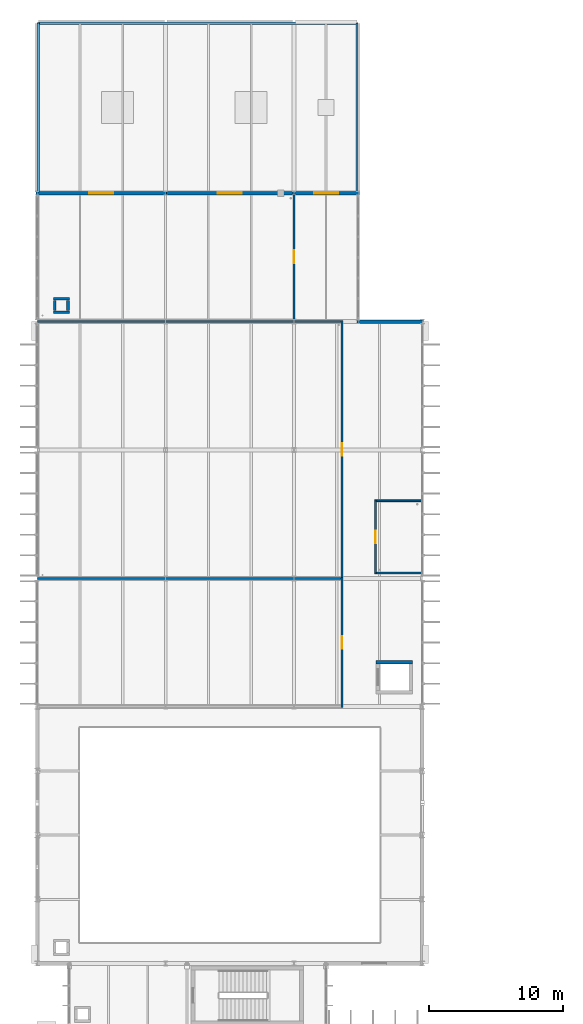
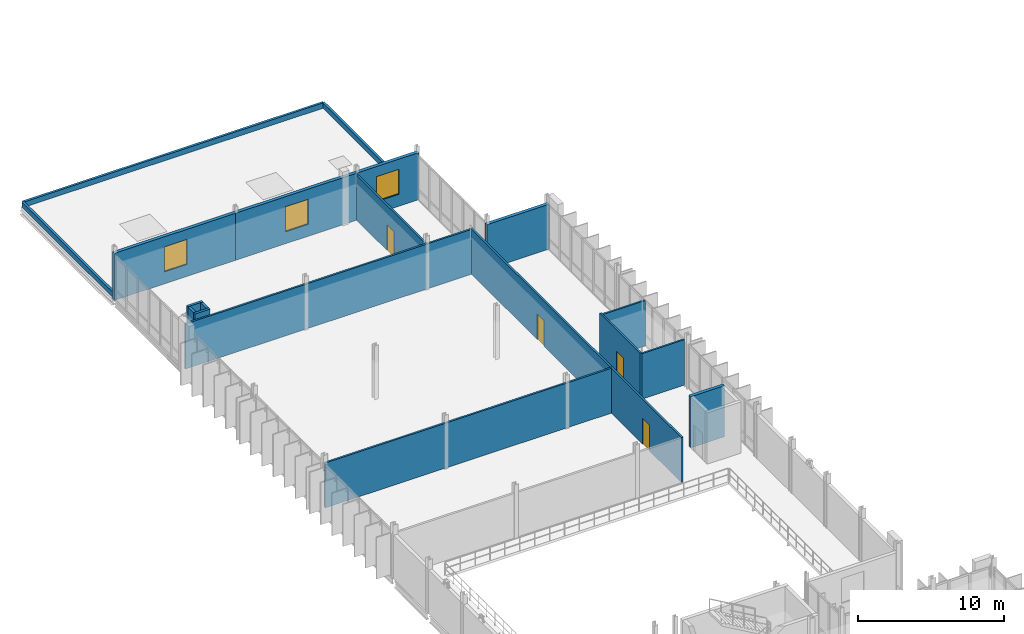
# One storey, part 65 of 107: 20 walls, 4 doors, 3 windows, 7 openings.
"""IFC4 building model written with IfcOpenShell, lengths in metres."""

from ifc_helpers import new_model, si_unit, direction, frame, frame_2d, origin, place, context, subcontext, project, spatial, rectangle, extrude, material, layer, layer_set, type_object, element, fill, save


model = new_model("IFC4")

# Units and contexts
model_context = context("Model", 3, precision=1e-05, world=origin(), true_north=direction((0.0, 1.0)))
body_context = subcontext(model_context, "Body", "Model", "MODEL_VIEW")
ifc_project = project(units=[si_unit("LENGTHUNIT", "METRE"), si_unit("AREAUNIT", "SQUARE_METRE"), si_unit("VOLUMEUNIT", "CUBIC_METRE"), si_unit("PLANEANGLEUNIT", "RADIAN"), si_unit("MASSUNIT", "GRAM", prefix="KILO")], contexts=[model_context])

# Site, building, storey
site_placement = place(None, origin())
site = spatial("IfcSite", under=ifc_project, at=site_placement, CompositionType="ELEMENT")
building_placement = place(site_placement, origin())
building = spatial("IfcBuilding", under=site, at=building_placement, Name="Dunescarp Central Library", CompositionType="ELEMENT")
storey_placement = place(building_placement, frame((0.0, 0.0, 5.10009765625)))
storey = spatial("IfcBuildingStorey", under=building, at=storey_placement, Name="L01", CompositionType="ELEMENT", Elevation=5.10009765625)

# Wall
ifc_material_1 = material(Name="Gypsum plasterboard acoustic partition")
ifc_layer_1 = layer(ifc_material_1, 0.14990234375)
ifc_layer_set_1 = layer_set([ifc_layer_1], Name="Gypsum plasterboard acoustic partition")
wall_type_1 = type_object("IfcWallType", Name="ARC-PT-AC150", PredefinedType="PARTITIONING", material=ifc_layer_set_1)
wall_1_placement = place(storey_placement, frame((0.0400390625, 70.39990234375, 0.0), z_axis=(0.0, 0.0, 1.0), x_axis=(1.0, 0.0, 0.0)))
element("IfcWall", 1, at=wall_1_placement, inside=storey, type_object=wall_type_1, Name="L01 partition PT-L01-0343", PredefinedType="PARTITIONING", context=body_context, shape_type="SweptSolid", body=[
    extrude(rectangle(XDim=22.68505859375, YDim=0.14990234375, at=frame_2d((11.342529296875, 0.0))), origin(), (0.0, 0.0, 1.0), 3.764892578125),
])

# Wall, opening, door
wall_2_placement = place(storey_placement, frame((22.800048828125, 60.72509765625, 0.0), z_axis=(0.0, 0.0, 1.0), x_axis=(0.0, 1.0, 0.0)))
wall_2 = element("IfcWall", 2, at=wall_2_placement, inside=storey, type_object=wall_type_1, Name="L01 partition PT-L01-0344", PredefinedType="PARTITIONING", context=body_context, shape_type="SweptSolid", body=[
    extrude(rectangle(XDim=9.75, YDim=0.14990234375, at=frame_2d((4.875, 0.0))), origin(), (0.0, 0.0, 1.0), 3.764892578125),
])
opening_1_placement = place(wall_2_placement, frame((4.39990234375, 0.0, 0.0)))
opening_1 = element("IfcOpeningElement", 3, at=opening_1_placement, cuts=wall_2, Name="Opening DR-L01-0147", PredefinedType="OPENING", context=body_context, shape_type="SweptSolid", body=[
    extrude(rectangle(XDim=0.949951171875, YDim=2.14990234375, at=frame_2d((0.47509765625, 1.074951171875))), frame((0.0, 0.0849609375, 0.0), z_axis=(0.0, -1.0, 0.0), x_axis=(1.0, 0.0, 0.0)), (0.0, 0.0, 1.0), 0.169921875),
])
ifc_material_2 = material(Name="Hardwood solid-core timber leaf", Category="wood")
door_type_1 = type_object("IfcDoorType", Name="ARC-DR-INT950", OperationType="NOTDEFINED", PredefinedType="DOOR", material=ifc_material_2)
door_1_placement = place(opening_1_placement, origin())
door_1 = element("IfcDoor", 4, at=door_1_placement, inside=storey, type_object=door_type_1, Name="L01 interior door DR-L01-0147", OperationType="SINGLE_SWING_RIGHT", OverallHeight=2.14990234375, OverallWidth=0.949951171875, PredefinedType="DOOR", context=body_context, shape_type="SweptSolid", body=[
    extrude(rectangle(XDim=0.949951171875, YDim=2.14990234375, at=frame_2d((0.47509765625, 1.074951171875))), frame((0.0, 0.02490234375, 0.0), z_axis=(0.0, -1.0, 0.0), x_axis=(1.0, 0.0, 0.0)), (0.0, 0.0, 1.0), 0.050048828125),
])
fill(opening_1, door_1)

# Wall
wall_3_placement = place(storey_placement, frame((0.0400390625, 89.60009765625, 0.0), z_axis=(0.0, 0.0, 1.0), x_axis=(1.0, 0.0, 0.0)))
element("IfcWall", 5, at=wall_3_placement, inside=storey, type_object=wall_type_1, Name="L01 partition PT-L01-0345", PredefinedType="PARTITIONING", context=body_context, shape_type="SweptSolid", body=[
    extrude(rectangle(XDim=22.68505859375, YDim=0.14990234375, at=frame_2d((11.342529296875, 0.0))), origin(), (0.0, 0.0, 1.0), 3.764892578125),
])

# Wall, opening, door
wall_4_placement = place(storey_placement, frame((22.800048828125, 70.39990234375, 0.0), z_axis=(0.0, 0.0, 1.0), x_axis=(0.0, 1.0, 0.0)))
wall_4 = element("IfcWall", 6, at=wall_4_placement, inside=storey, type_object=wall_type_1, Name="L01 partition PT-L01-0346", PredefinedType="PARTITIONING", context=body_context, shape_type="SweptSolid", body=[
    extrude(rectangle(XDim=19.275146484375, YDim=0.14990234375, at=frame_2d((9.6376953125, 0.0))), origin(), (0.0, 0.0, 1.0), 3.764892578125),
])
opening_2_placement = place(wall_4_placement, frame((9.162109375, 0.0, 0.0)))
opening_2 = element("IfcOpeningElement", 7, at=opening_2_placement, cuts=wall_4, Name="Opening DR-L01-0148", PredefinedType="OPENING", context=body_context, shape_type="SweptSolid", body=[
    extrude(rectangle(XDim=0.949951171875, YDim=2.14990234375, at=frame_2d((0.47509765625, 1.074951171875))), frame((0.0, 0.0849609375, 0.0), z_axis=(0.0, -1.0, 0.0), x_axis=(1.0, 0.0, 0.0)), (0.0, 0.0, 1.0), 0.169921875),
])
door_2_placement = place(opening_2_placement, origin())
door_2 = element("IfcDoor", 8, at=door_2_placement, inside=storey, type_object=door_type_1, Name="L01 interior door DR-L01-0148", OperationType="SINGLE_SWING_LEFT", OverallHeight=2.14990234375, OverallWidth=0.949951171875, PredefinedType="DOOR", context=body_context, shape_type="SweptSolid", body=[
    extrude(rectangle(XDim=0.949951171875, YDim=2.14990234375, at=frame_2d((0.47509765625, 1.074951171875))), frame((0.0, 0.02490234375, 0.0), z_axis=(0.0, -1.0, 0.0), x_axis=(1.0, 0.0, 0.0)), (0.0, 0.0, 1.0), 0.050048828125),
])
fill(opening_2, door_2)

wall_5_placement = place(storey_placement, frame((19.199951171875, 89.72509765625, 0.0), z_axis=(0.0, 0.0, 1.0), x_axis=(0.0, 1.0, 0.0)))
wall_5 = element("IfcWall", 9, at=wall_5_placement, inside=storey, type_object=wall_type_1, Name="L01 partition PT-L01-0347", PredefinedType="PARTITIONING", context=body_context, shape_type="SweptSolid", body=[
    extrude(rectangle(XDim=9.434814453125, YDim=0.14990234375, at=frame_2d((4.71728515625, 0.0))), origin(), (0.0, 0.0, 1.0), 3.764892578125),
])
opening_3_placement = place(wall_5_placement, frame((4.242919921875, 0.0, 0.0)))
opening_3 = element("IfcOpeningElement", 10, at=opening_3_placement, cuts=wall_5, Name="Opening DR-L01-0149", PredefinedType="OPENING", context=body_context, shape_type="SweptSolid", body=[
    extrude(rectangle(XDim=0.949951171875, YDim=2.14990234375, at=frame_2d((0.47509765625, 1.074951171875))), frame((0.0, 0.0849609375, 0.0), z_axis=(0.0, -1.0, 0.0), x_axis=(1.0, 0.0, 0.0)), (0.0, 0.0, 1.0), 0.169921875),
])
door_3_placement = place(opening_3_placement, origin())
door_3 = element("IfcDoor", 11, at=door_3_placement, inside=storey, type_object=door_type_1, Name="L01 interior door DR-L01-0149", OperationType="SINGLE_SWING_RIGHT", OverallHeight=2.14990234375, OverallWidth=0.949951171875, PredefinedType="DOOR", context=body_context, shape_type="SweptSolid", body=[
    extrude(rectangle(XDim=0.949951171875, YDim=2.14990234375, at=frame_2d((0.47509765625, 1.074951171875))), frame((0.0, 0.02490234375, 0.0), z_axis=(0.0, -1.0, 0.0), x_axis=(1.0, 0.0, 0.0)), (0.0, 0.0, 1.0), 0.050048828125),
])
fill(opening_3, door_3)

# Walls
ifc_material_3 = material(Name="Autoclaved aerated concrete block", Category="concrete")
ifc_layer_2 = layer(ifc_material_3, 0.139892578125)
ifc_layer_set_2 = layer_set([ifc_layer_2], Name="Autoclaved aerated concrete block")
wall_type_2 = type_object("IfcWallType", Name="ARC-PT-WET140", PredefinedType="PARTITIONING", material=ifc_layer_set_2)
for number, where, z_axis, x_axis, name in (
    (12, (25.3701171875, 70.800048828125, 0.0), (0.0, 0.0, 1.0), (1.0, 0.0, 0.0), "L01 partition PT-L01-0339"),
    (13, (25.3701171875, 76.199951171875, 0.0), (0.0, 0.0, 1.0), (1.0, 0.0, 0.0), "L01 partition PT-L01-0340"),
):
    element("IfcWall", number, at=place(storey_placement, frame(where, z_axis=z_axis, x_axis=x_axis)), inside=storey, type_object=wall_type_2, Name=name, PredefinedType="PARTITIONING", context=body_context, shape_type="SweptSolid", body=[
        extrude(rectangle(XDim=3.389892578125, YDim=0.139892578125, at=frame_2d((1.69482421875, 0.0))), origin(), (0.0, 0.0, 1.0), 3.81201171875),
    ])

# Wall, opening, door
wall_6_placement = place(storey_placement, frame((25.300048828125, 70.72998046875, 0.0), z_axis=(0.0, 0.0, 1.0), x_axis=(0.0, 1.0, 0.0)))
wall_6 = element("IfcWall", 14, at=wall_6_placement, inside=storey, type_object=wall_type_2, Name="L01 partition PT-L01-0341", PredefinedType="PARTITIONING", context=body_context, shape_type="SweptSolid", body=[
    extrude(rectangle(XDim=5.5400390625, YDim=0.139892578125, at=frame_2d((2.77001953125, 0.0))), origin(), (0.0, 0.0, 1.0), 3.90478515625),
])
opening_4_placement = place(wall_6_placement, frame((2.294921875, 0.0, 0.0)))
opening_4 = element("IfcOpeningElement", 15, at=opening_4_placement, cuts=wall_6, Name="Opening DR-L01-0146", PredefinedType="OPENING", context=body_context, shape_type="SweptSolid", body=[
    extrude(rectangle(XDim=0.949951171875, YDim=2.10009765625, at=frame_2d((0.47509765625, 1.050048828125))), frame((0.0, 0.080078125, 0.0), z_axis=(0.0, -1.0, 0.0), x_axis=(1.0, 0.0, 0.0)), (0.0, 0.0, 1.0), 0.159912109375),
])
door_type_2 = type_object("IfcDoorType", Name="ARC-DR-WC950", OperationType="NOTDEFINED", PredefinedType="DOOR", material=ifc_material_2)
door_4_placement = place(opening_4_placement, origin())
door_4 = element("IfcDoor", 16, at=door_4_placement, inside=storey, type_object=door_type_2, Name="L01 interior door DR-L01-0146", OperationType="SINGLE_SWING_LEFT", OverallHeight=2.10009765625, OverallWidth=0.949951171875, PredefinedType="DOOR", context=body_context, shape_type="SweptSolid", body=[
    extrude(rectangle(XDim=0.949951171875, YDim=2.10009765625, at=frame_2d((0.47509765625, 1.050048828125))), frame((0.0, 0.02490234375, 0.0), z_axis=(0.0, -1.0, 0.0), x_axis=(1.0, 0.0, 0.0)), (0.0, 0.0, 1.0), 0.050048828125),
])
fill(opening_4, door_4)

# Wall
ifc_material_4 = material(Name="Glass-fibre reinforced concrete GRC", Category="concrete")
ifc_layer_3 = layer(ifc_material_4, 0.260009765625)
ifc_layer_set_3 = layer_set([ifc_layer_3], Name="Glass-fibre reinforced concrete GRC")
wall_type_3 = type_object("IfcWallType", Name="ARC-WL-GRC260", PredefinedType="SOLIDWALL", material=ifc_layer_set_3)
wall_7_placement = place(storey_placement, frame((23.9150390625, 89.60009765625, 0.0), z_axis=(0.0, 0.0, 1.0), x_axis=(1.0, 0.0, 0.0)))
element("IfcWall", 17, at=wall_7_placement, inside=storey, type_object=wall_type_3, Name="L01 external wall EW-V4-125", PredefinedType="SOLIDWALL", context=body_context, shape_type="SweptSolid", body=[
    extrude(rectangle(XDim=4.969970703125, YDim=0.260009765625, at=frame_2d((2.48486328125, 0.0))), origin(), (0.0, 0.0, 1.0), 3.764892578125),
])

# Wall, opening, window
wall_8_placement = place(storey_placement, frame((-0.0849609375, 99.199951171875, 0.0), z_axis=(0.0, 0.0, 1.0), x_axis=(1.0, 0.0, 0.0)))
wall_8 = element("IfcWall", 18, at=wall_8_placement, inside=storey, type_object=wall_type_3, Name="L01 external wall EW-V4N-151", PredefinedType="SOLIDWALL", context=body_context, shape_type="SweptSolid", body=[
    extrude(rectangle(XDim=9.77001953125, YDim=0.260009765625, at=frame_2d((4.885009765625, 0.0))), origin(), (0.0, 0.0, 1.0), 3.94482421875),
])
opening_5_placement = place(wall_8_placement, frame((3.985107421875, 0.0, 1.0)))
opening_5 = element("IfcOpeningElement", 19, at=opening_5_placement, cuts=wall_8, Name="Opening WN-048", PredefinedType="OPENING", context=body_context, shape_type="SweptSolid", body=[
    extrude(rectangle(XDim=1.800048828125, YDim=2.10009765625, at=frame_2d((0.89990234375, 1.050048828125))), frame((0.0, 0.14013671875, 0.0), z_axis=(0.0, -1.0, 0.0), x_axis=(1.0, 0.0, 0.0)), (0.0, 0.0, 1.0), 0.280029296875),
])
ifc_material_5 = material(Name="Solar-control laminated double glazing", Category="glass")
window_type = type_object("IfcWindowType", Name="ARC-WN-1800X2100", PartitioningType="SINGLE_PANEL", PredefinedType="WINDOW", material=ifc_material_5)
window_1_placement = place(opening_5_placement, origin())
window_1 = element("IfcWindow", 20, at=window_1_placement, inside=storey, type_object=window_type, Name="L01 window WN-048", OverallHeight=2.10009765625, OverallWidth=1.800048828125, PartitioningType="SINGLE_PANEL", PredefinedType="WINDOW", context=body_context, shape_type="SweptSolid", body=[
    extrude(rectangle(XDim=1.800048828125, YDim=2.10009765625, at=frame_2d((0.89990234375, 1.050048828125))), frame((0.0, 0.030029296875, 0.0), z_axis=(0.0, -1.0, 0.0), x_axis=(1.0, 0.0, 0.0)), (0.0, 0.0, 1.0), 0.06005859375),
])
fill(opening_5, window_1)

wall_9_placement = place(storey_placement, frame((9.514892578125, 99.199951171875, 0.0), z_axis=(0.0, 0.0, 1.0), x_axis=(1.0, 0.0, 0.0)))
wall_9 = element("IfcWall", 21, at=wall_9_placement, inside=storey, type_object=wall_type_3, Name="L01 external wall EW-V4N-152", PredefinedType="SOLIDWALL", context=body_context, shape_type="SweptSolid", body=[
    extrude(rectangle(XDim=9.77001953125, YDim=0.260009765625, at=frame_2d((4.885009765625, 0.0))), origin(), (0.0, 0.0, 1.0), 3.94482421875),
])
opening_6_placement = place(wall_9_placement, frame((3.985107421875, 0.0, 1.0)))
opening_6 = element("IfcOpeningElement", 22, at=opening_6_placement, cuts=wall_9, Name="Opening WN-049", PredefinedType="OPENING", context=body_context, shape_type="SweptSolid", body=[
    extrude(rectangle(XDim=1.800048828125, YDim=2.10009765625, at=frame_2d((0.89990234375, 1.050048828125))), frame((0.0, 0.14013671875, 0.0), z_axis=(0.0, -1.0, 0.0), x_axis=(1.0, 0.0, 0.0)), (0.0, 0.0, 1.0), 0.280029296875),
])
window_2_placement = place(opening_6_placement, origin())
window_2 = element("IfcWindow", 23, at=window_2_placement, inside=storey, type_object=window_type, Name="L01 window WN-049", OverallHeight=2.10009765625, OverallWidth=1.800048828125, PartitioningType="SINGLE_PANEL", PredefinedType="WINDOW", context=body_context, shape_type="SweptSolid", body=[
    extrude(rectangle(XDim=1.800048828125, YDim=2.10009765625, at=frame_2d((0.89990234375, 1.050048828125))), frame((0.0, 0.030029296875, 0.0), z_axis=(0.0, -1.0, 0.0), x_axis=(1.0, 0.0, 0.0)), (0.0, 0.0, 1.0), 0.06005859375),
])
fill(opening_6, window_2)

wall_10_placement = place(storey_placement, frame((19.114990234375, 99.199951171875, 0.0), z_axis=(0.0, 0.0, 1.0), x_axis=(1.0, 0.0, 0.0)))
wall_10 = element("IfcWall", 24, at=wall_10_placement, inside=storey, type_object=wall_type_3, Name="L01 external wall EW-V4N-153", PredefinedType="SOLIDWALL", context=body_context, shape_type="SweptSolid", body=[
    extrude(rectangle(XDim=4.969970703125, YDim=0.260009765625, at=frame_2d((2.48486328125, 0.0))), origin(), (0.0, 0.0, 1.0), 3.94482421875),
])
opening_7_placement = place(wall_10_placement, frame((1.5849609375, 0.0, 1.0)))
opening_7 = element("IfcOpeningElement", 25, at=opening_7_placement, cuts=wall_10, Name="Opening WN-050", PredefinedType="OPENING", context=body_context, shape_type="SweptSolid", body=[
    extrude(rectangle(XDim=1.800048828125, YDim=2.10009765625, at=frame_2d((0.89990234375, 1.050048828125))), frame((0.0, 0.14013671875, 0.0), z_axis=(0.0, -1.0, 0.0), x_axis=(1.0, 0.0, 0.0)), (0.0, 0.0, 1.0), 0.280029296875),
])
window_3_placement = place(opening_7_placement, origin())
window_3 = element("IfcWindow", 26, at=window_3_placement, inside=storey, type_object=window_type, Name="L01 window WN-050", OverallHeight=2.10009765625, OverallWidth=1.800048828125, PartitioningType="SINGLE_PANEL", PredefinedType="WINDOW", context=body_context, shape_type="SweptSolid", body=[
    extrude(rectangle(XDim=1.800048828125, YDim=2.10009765625, at=frame_2d((0.89990234375, 1.050048828125))), frame((0.0, 0.030029296875, 0.0), z_axis=(0.0, -1.0, 0.0), x_axis=(1.0, 0.0, 0.0)), (0.0, 0.0, 1.0), 0.06005859375),
])
fill(opening_7, window_3)

# Walls
ifc_material_6 = material(Name="Concrete C35/45", Category="concrete")
ifc_layer_4 = layer(ifc_material_6, 0.179931640625)
ifc_layer_set_4 = layer_set([ifc_layer_4], Name="Concrete C35/45")
wall_type_4 = type_object("IfcWallType", Name="ARC-WL-PAR180", PredefinedType="PARAPET", material=ifc_layer_set_4)
wall_11_placement = place(storey_placement, frame((0.090087890625, 111.909912109375, 0.0), z_axis=(0.0, 0.0, 1.0), x_axis=(1.0, 0.0, 0.0)))
element("IfcWall", 27, at=wall_11_placement, inside=storey, type_object=wall_type_4, Name="L01 maintenance roof parapet PAR-L01-020", PredefinedType="PARAPET", context=body_context, shape_type="SweptSolid", body=[
    extrude(rectangle(XDim=23.81982421875, YDim=0.179931640625, at=frame_2d((11.909912109375, 0.0))), origin(), (0.0, 0.0, 1.0), 0.449951171875),
])
for number, where, z_axis, x_axis, name in (
    (28, (0.090087890625, 99.2900390625, 0.0), (0.0, 0.0, 1.0), (0.0, 1.0, 0.0), "L01 maintenance roof parapet PAR-L01-021"),
    (29, (23.909912109375, 111.909912109375, 0.0), (0.0, 0.0, 1.0), (0.0, -1.0, 0.0), "L01 maintenance roof parapet PAR-L01-022"),
):
    element("IfcWall", number, at=place(storey_placement, frame(where, z_axis=z_axis, x_axis=x_axis)), inside=storey, type_object=wall_type_4, Name=name, PredefinedType="PARAPET", context=body_context, shape_type="SweptSolid", body=[
        extrude(rectangle(XDim=12.619873046875, YDim=0.179931640625, at=frame_2d((6.31005859375, 0.0))), origin(), (0.0, 0.0, 1.0), 0.449951171875),
    ])
ifc_layer_5 = layer(ifc_material_6, 0.199951171875)
ifc_layer_set_5 = layer_set([ifc_layer_5], Name="Concrete C35/45")
wall_type_5 = type_object("IfcWallType", Name="ARC-WL-RISER200", PredefinedType="PARTITIONING", material=ifc_layer_set_5)
for number, where, z_axis, x_axis, name in (
    (30, (2.39990234375, 90.300048828125, 0.0), (0.0, 0.0, 1.0), (-1.0, 0.0, 0.0), "L01 V4N duct shaft wall S"),
    (31, (1.199951171875, 91.300048828125, 0.0), (0.0, 0.0, 1.0), (1.0, 0.0, 0.0), "L01 V4N duct shaft wall N"),
):
    element("IfcWall", number, at=place(storey_placement, frame(where, z_axis=z_axis, x_axis=x_axis)), inside=storey, type_object=wall_type_5, Name=name, PredefinedType="PARTITIONING", context=body_context, shape_type="SweptSolid", body=[
        extrude(rectangle(XDim=1.199951171875, YDim=0.199951171875, at=frame_2d((0.60009765625, 0.0))), origin(), (0.0, 0.0, 1.0), 3.789794921875),
    ])
for number, where, z_axis, x_axis, name in (
    (32, (1.300048828125, 90.419921875, 0.0), (0.0, 0.0, 1.0), (0.0, 1.0, 0.0), "L01 V4N duct shaft wall W"),
    (33, (2.300048828125, 91.179931640625, 0.0), (0.0, 0.0, 1.0), (0.0, -1.0, 0.0), "L01 V4N duct shaft wall E"),
):
    element("IfcWall", number, at=place(storey_placement, frame(where, z_axis=z_axis, x_axis=x_axis)), inside=storey, type_object=wall_type_5, Name=name, PredefinedType="PARTITIONING", context=body_context, shape_type="SweptSolid", body=[
        extrude(rectangle(XDim=0.760009765625, YDim=0.199951171875, at=frame_2d((0.3798828125, 0.0))), origin(), (0.0, 0.0, 1.0), 3.789794921875),
    ])
ifc_material_7 = material(Name="Concrete C40/50", Category="concrete")
ifc_layer_6 = layer(ifc_material_7, 0.25)
ifc_layer_set_6 = layer_set([ifc_layer_6], Name="Concrete C40/50")
wall_type_6 = type_object("IfcWallType", Name="STR-WL-CORE250", PredefinedType="SHEAR", material=ifc_layer_set_6)
wall_12_placement = place(storey_placement, frame((25.35009765625, 64.125, 0.0), z_axis=(0.0, 0.0, 1.0), x_axis=(1.0, 0.0, 0.0)))
element("IfcWall", 34, at=wall_12_placement, inside=storey, type_object=wall_type_6, Name="L01 PL-4 lift shaft wall N", PredefinedType="SHEAR", context=body_context, shape_type="SweptSolid", body=[
    extrude(rectangle(XDim=2.699951171875, YDim=0.25, at=frame_2d((1.35009765625, 0.0))), origin(), (0.0, 0.0, 1.0), 4.289794921875),
])

save(model, "model.ifc")
